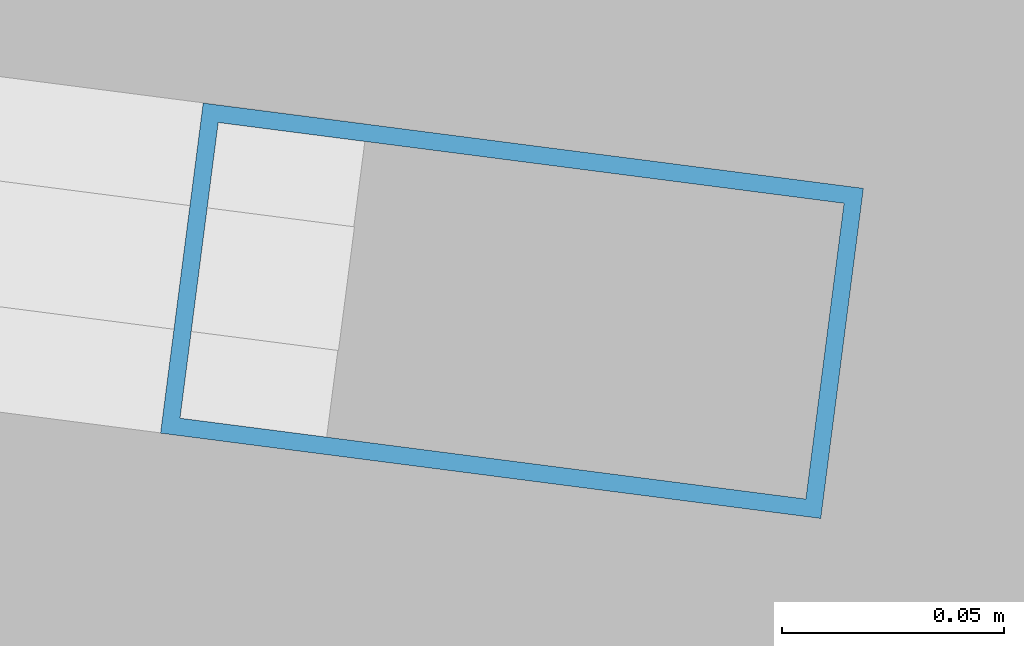
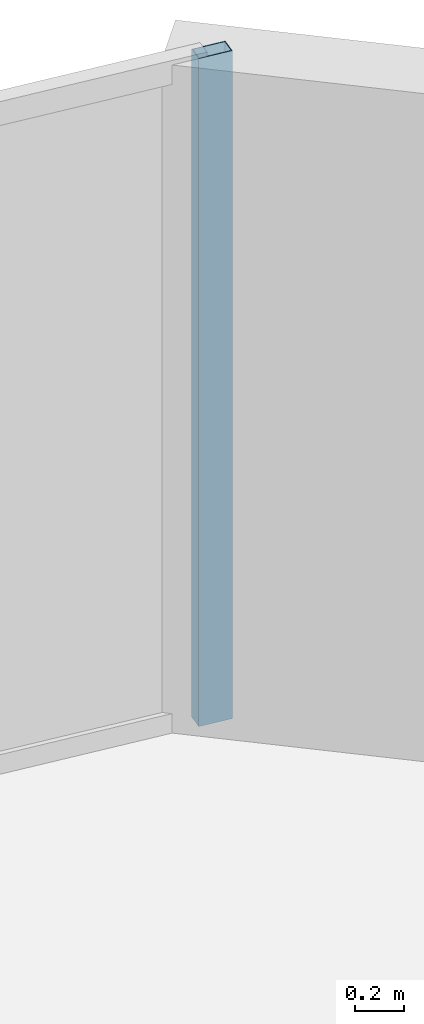
# One storey, part 19 of 32: 1 member, 1 element without a shape of its own.
"""IFC4 building model written with IfcOpenShell, lengths in metres."""

import ifcopenshell
import ifcopenshell.guid

model = None  # the IFC model being written
_history = None  # IfcOwnerHistory: only IFC2X3 demands one
_inside = {}  # id of a spatial element -> (the spatial element, [elements in it])
_under = {}  # id of a project, library or spatial element -> (it, [spatial elements below it])
_declared = {}  # id of a project -> (the project, [libraries it declares])
_typed = {}  # id of a type object -> (the type object, [elements of that type])
_made_of = {}  # id of a material, layer set ... -> (it, [elements and type objects made of it])


def new_model(schema):
    """Start an empty IFC model of exactly this schema.

    Asked for "IFC4X3", IfcOpenShell would pick the latest addendum, in which some entities
    have other attributes; the version numbers below select the first issue.
    IFC2X3 requires an IfcOwnerHistory on every rooted entity: one is made here for all.
    """
    global model, _history
    if schema == "IFC4X3":
        model = ifcopenshell.file(schema_version=(4, 3, 0, 0))
    else:
        model = ifcopenshell.file(schema=schema)
    _inside.clear()
    _under.clear()
    _declared.clear()
    _typed.clear()
    _made_of.clear()
    _history = None
    if model.schema == "IFC2X3":
        org = make("IfcOrganization", Name="unknown")
        user = make(
            "IfcPersonAndOrganization",
            ThePerson=make("IfcPerson", FamilyName="unknown"),
            TheOrganization=org,
        )
        app = make(
            "IfcApplication",
            ApplicationDeveloper=org,
            Version="unknown",
            ApplicationFullName="unknown",
            ApplicationIdentifier="unknown",
        )
        _history = make(
            "IfcOwnerHistory",
            OwningUser=user,
            OwningApplication=app,
            ChangeAction="ADDED",
            CreationDate=0,
        )
    return model


def make(cls, **values):
    """One entity of the class cls with the attributes given. An attribute that is None is left unset."""
    return model.create_entity(
        cls, **{name: value for name, value in values.items() if value is not None}
    )


def rooted(cls, **values):
    """An entity with a GlobalId (a new one), such as an element, a storey or a relation."""
    return make(cls, GlobalId=ifcopenshell.guid.new(), OwnerHistory=_history, **values)


def si_unit(unit_type, name, prefix=None):
    """IfcSIUnit, for example si_unit("LENGTHUNIT", "METRE", prefix="MILLI")."""
    return make("IfcSIUnit", UnitType=unit_type, Prefix=prefix, Name=name)


def assignment(units):
    """IfcUnitAssignment: the units of a project."""
    return None if units is None else make("IfcUnitAssignment", Units=units)


def point(xyz):
    """IfcCartesianPoint."""
    return None if xyz is None else make("IfcCartesianPoint", Coordinates=xyz)


def direction(xyz):
    """IfcDirection."""
    return None if xyz is None else make("IfcDirection", DirectionRatios=xyz)


def frame(location, z_axis=None, x_axis=None):
    """IfcAxis2Placement3D, a coordinate frame: its origin and axes. An axis left out is left unset."""
    return make(
        "IfcAxis2Placement3D",
        Location=point(location),
        Axis=direction(z_axis),
        RefDirection=direction(x_axis),
    )


def frame_2d(location, x_axis=None):
    """IfcAxis2Placement2D, a coordinate frame in the plane: its origin and x axis."""
    return make(
        "IfcAxis2Placement2D", Location=point(location), RefDirection=direction(x_axis)
    )


def origin():
    """The frame at (0, 0, 0) with its axes left unset."""
    return frame((0.0, 0.0, 0.0))


def origin_2d():
    """The frame at (0, 0) in the plane with its x axis left unset."""
    return frame_2d((0.0, 0.0))


def place(relative_to, where):
    """IfcLocalPlacement: puts the frame where relative to a parent placement (None: the world)."""
    return make(
        "IfcLocalPlacement", PlacementRelTo=relative_to, RelativePlacement=where
    )


def context(
    kind, dimensions, precision=None, world=None, true_north=None, identifier=None
):
    """IfcGeometricRepresentationContext, for example the 3D "Model" context."""
    return make(
        "IfcGeometricRepresentationContext",
        ContextIdentifier=identifier,
        ContextType=kind,
        CoordinateSpaceDimension=dimensions,
        Precision=precision,
        WorldCoordinateSystem=world,
        TrueNorth=true_north,
    )


def subcontext(parent, identifier, kind, view, scale=None):
    """IfcGeometricRepresentationSubContext, for example "Body" below "Model"."""
    return make(
        "IfcGeometricRepresentationSubContext",
        ContextIdentifier=identifier,
        ContextType=kind,
        ParentContext=parent,
        TargetScale=scale,
        TargetView=view,
    )


def project(units=None, contexts=None):
    """IfcProject with its units and contexts."""
    return rooted(
        "IfcProject",
        Name="project",
        RepresentationContexts=contexts,
        UnitsInContext=assignment(units),
    )


def spatial(cls, under=None, at=None, **own):
    """A site, building, storey or space (cls), placed at a placement, below another one or the project."""
    s = rooted(cls, ObjectPlacement=at, **own)
    if under is not None:
        _under.setdefault(under.id(), (under, []))[1].append(s)
    return s


def profile(cls, at=None, kind="AREA", **sizes):
    """A parametric profile (cls). Its sizes go by their IFC names, for example OverallWidth=200.0."""
    return make(cls, ProfileType=kind, Position=at, **sizes)


def hollow_rectangle(**sizes):
    """IfcRectangleHollowProfileDef."""
    return profile("IfcRectangleHollowProfileDef", **sizes)


def extrude(swept, where, along, depth):
    """IfcExtrudedAreaSolid: the profile swept, set in the frame where, extruded along a direction by depth."""
    return make(
        "IfcExtrudedAreaSolid",
        SweptArea=swept,
        Position=where,
        ExtrudedDirection=direction(along),
        Depth=depth,
    )


def shape(context_of_items, identifier, shape_type, items):
    """IfcShapeRepresentation: the items that make up one representation, for example the "Body"."""
    return make(
        "IfcShapeRepresentation",
        ContextOfItems=context_of_items,
        RepresentationIdentifier=identifier,
        RepresentationType=shape_type,
        Items=items,
    )


def material(Name=None, Category=None):
    """IfcMaterial."""
    return make("IfcMaterial", Name=Name, Category=Category)


def layer(
    of_material, thickness, ventilated=None, Name=None, Category=None, Priority=None
):
    """IfcMaterialLayer: one layer of a wall or slab, of a material (None: an air gap)."""
    return make(
        "IfcMaterialLayer",
        Material=of_material,
        LayerThickness=thickness,
        IsVentilated=ventilated,
        Name=Name,
        Category=Category,
        Priority=Priority,
    )


def layer_set(layers, Name=None):
    """IfcMaterialLayerSet."""
    return make("IfcMaterialLayerSet", MaterialLayers=layers, LayerSetName=Name)


def material_profile(
    of_material, cross_section, Name=None, Category=None, Priority=None
):
    """IfcMaterialProfile: a cross section and its material."""
    return make(
        "IfcMaterialProfile",
        Name=Name,
        Material=of_material,
        Profile=cross_section,
        Priority=Priority,
        Category=Category,
    )


def profile_set(profiles, Name=None, composite=None):
    """IfcMaterialProfileSet."""
    return make(
        "IfcMaterialProfileSet",
        Name=Name,
        MaterialProfiles=profiles,
        CompositeProfile=composite,
    )


def made_of(thing, what):
    """Note that an element or type object is made of a material, layer set ...; save() writes the relation."""
    if what is not None:
        _made_of.setdefault(what.id(), (what, []))[1].append(thing)
    return thing


def type_object(cls, material=None, **own):
    """A type object (cls), such as IfcWallType, which elements share."""
    return made_of(rooted(cls, **own), material)


def element(
    cls,
    number,
    at=None,
    inside=None,
    cuts=None,
    type_object=None,
    material=None,
    context=None,
    identifier="Body",
    shape_type=None,
    held_by="IfcProductDefinitionShape",
    body=None,
    shapes=None,
    **own,
):
    """One element of the class cls, such as IfcWall. Its Tag is "e" and its number.

    at: its placement. inside: the storey or other place that contains it. cuts: it is an
    opening in that element (IfcRelVoidsElement). A single representation is given by context,
    identifier, shape_type and body (its items); several are given by shapes. held_by: the class
    of the entity that holds the representations. save() writes the other relations.
    """
    e = rooted(cls, Tag="e%d" % number, ObjectPlacement=at, **own)
    if body is not None:
        shapes = [shape(context, identifier, shape_type, body)]
    if shapes is not None:
        e.Representation = make(held_by, Representations=shapes)
    if inside is not None:
        _inside.setdefault(inside.id(), (inside, []))[1].append(e)
    if cuts is not None:
        rooted(
            "IfcRelVoidsElement", RelatingBuildingElement=cuts, RelatedOpeningElement=e
        )
    if type_object is not None:
        _typed.setdefault(type_object.id(), (type_object, []))[1].append(e)
    return made_of(e, material)


def aggregate(whole, parts):
    """IfcRelAggregates: a whole, such as a stair, and the parts it consists of."""
    return rooted("IfcRelAggregates", RelatingObject=whole, RelatedObjects=parts)


def save(model, path):
    """Write the relations noted so far, then the file.

    IfcRelAggregates (storeys below a building ...), IfcRelContainedInSpatialStructure (elements
    in a storey), IfcRelDefinesByType, IfcRelAssociatesMaterial and IfcRelDeclares: one each for
    every whole, place, type object, material and project.
    """
    for whole, parts in _under.values():
        aggregate(whole, parts)
    for where, things in _inside.values():
        rooted(
            "IfcRelContainedInSpatialStructure",
            RelatedElements=things,
            RelatingStructure=where,
        )
    for kind, things in _typed.values():
        rooted("IfcRelDefinesByType", RelatedObjects=things, RelatingType=kind)
    for what, things in _made_of.values():
        rooted("IfcRelAssociatesMaterial", RelatedObjects=things, RelatingMaterial=what)
    for by, libraries in _declared.values():
        rooted("IfcRelDeclares", RelatingContext=by, RelatedDefinitions=libraries)
    model.write(path)


model = new_model("IFC4")

# Units and contexts
model_context = context("Model", 3, precision=1e-05, world=origin(), true_north=direction((0.0, 1.0)))
body_context = subcontext(model_context, "Body", "Model", "MODEL_VIEW")
ifc_project = project(units=[si_unit("LENGTHUNIT", "METRE"), si_unit("AREAUNIT", "SQUARE_METRE"), si_unit("VOLUMEUNIT", "CUBIC_METRE"), si_unit("PLANEANGLEUNIT", "RADIAN"), si_unit("MASSUNIT", "GRAM", prefix="KILO")], contexts=[model_context])

# Site, building, storey
site_placement = place(None, origin())
site = spatial("IfcSite", under=ifc_project, at=site_placement, CompositionType="ELEMENT")
building_placement = place(site_placement, origin())
building = spatial("IfcBuilding", under=site, at=building_placement, Name="Kazevale Care Tower and Concert Hall", CompositionType="ELEMENT")
storey_placement = place(building_placement, frame((0.0, 0.0, 42.0)))
storey = spatial("IfcBuildingStorey", under=building, at=storey_placement, Name="L10", CompositionType="ELEMENT", Elevation=42.0)

# Curtain wall, member
ifc_material_1 = material(Name="Aluminium 6063-T6 and Low-E Glass", Category="aluminium")
ifc_layer = layer(ifc_material_1, 0.179931640625)
ifc_layer_set = layer_set([ifc_layer], Name="Aluminium 6063-T6 and Low-E Glass")
curtain_wall_type = type_object("IfcCurtainWallType", Name="Convex Recessed Sunroom Curtain Wall CW-3", PredefinedType="NOTDEFINED", material=ifc_layer_set)
curtain_wall_placement = place(storey_placement, origin())
curtain_wall = element("IfcCurtainWall", 1, at=curtain_wall_placement, inside=storey, type_object=curtain_wall_type, Name="cw:L10:f16", PredefinedType="NOTDEFINED")
ifc_material_2 = material(Name="Aluminium 6063-T6", Category="aluminium")
ifc_material_profile = material_profile(ifc_material_2, hollow_rectangle(XDim=0.074951171875, YDim=0.14990234375, WallThickness=0.00390625, at=origin_2d()), Name="ALU75x150x4")
ifc_profile_set = profile_set([ifc_material_profile], Name="Aluminium 6063-T6")
member_type = type_object("IfcMemberType", Name="CW-3 Mullion ALU75x150x4", PredefinedType="MULLION", material=ifc_profile_set)
member_placement = place(storey_placement, frame((65.0029296875, 62.84375, 0.0), z_axis=(0.0, 0.0, 1.0), x_axis=(0.128086196538, 0.991763039368, 0.0)))
member = element("IfcMember", 2, at=member_placement, type_object=member_type, Name="CW-3 mullion 2", PredefinedType="MULLION", context=body_context, shape_type="SweptSolid", body=[
    extrude(hollow_rectangle(XDim=0.074951171875, YDim=0.14990234375, WallThickness=0.00390625, at=origin_2d()), origin(), (0.0, 0.0, 1.0), 3.360107421875),
])
aggregate(curtain_wall, [member])

save(model, "model.ifc")
